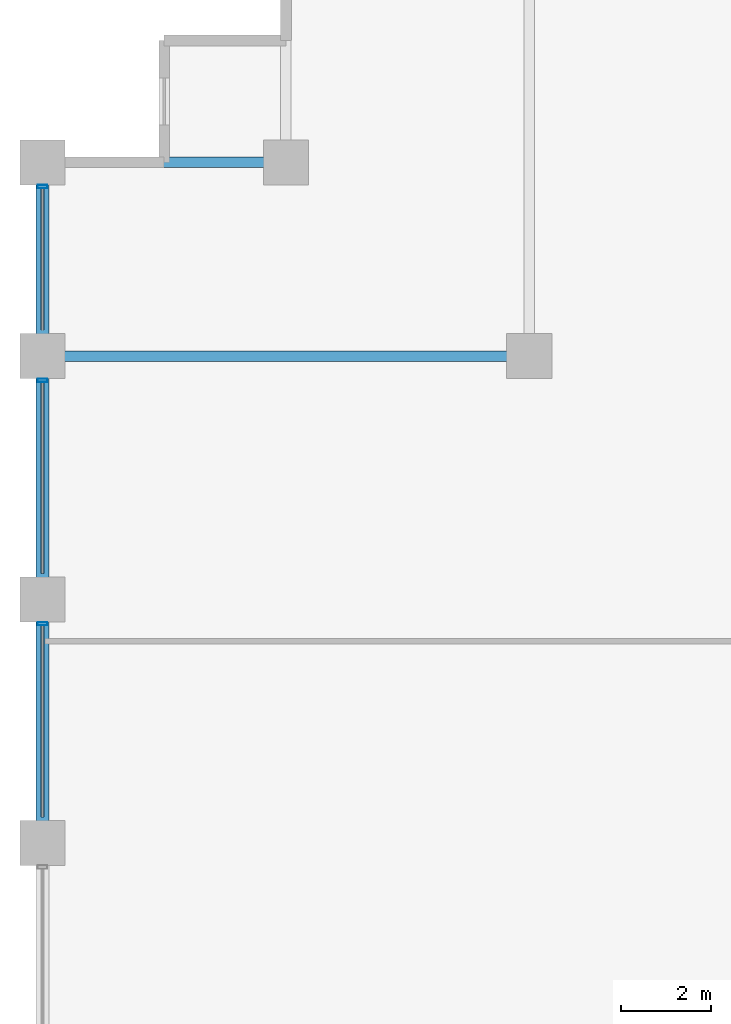
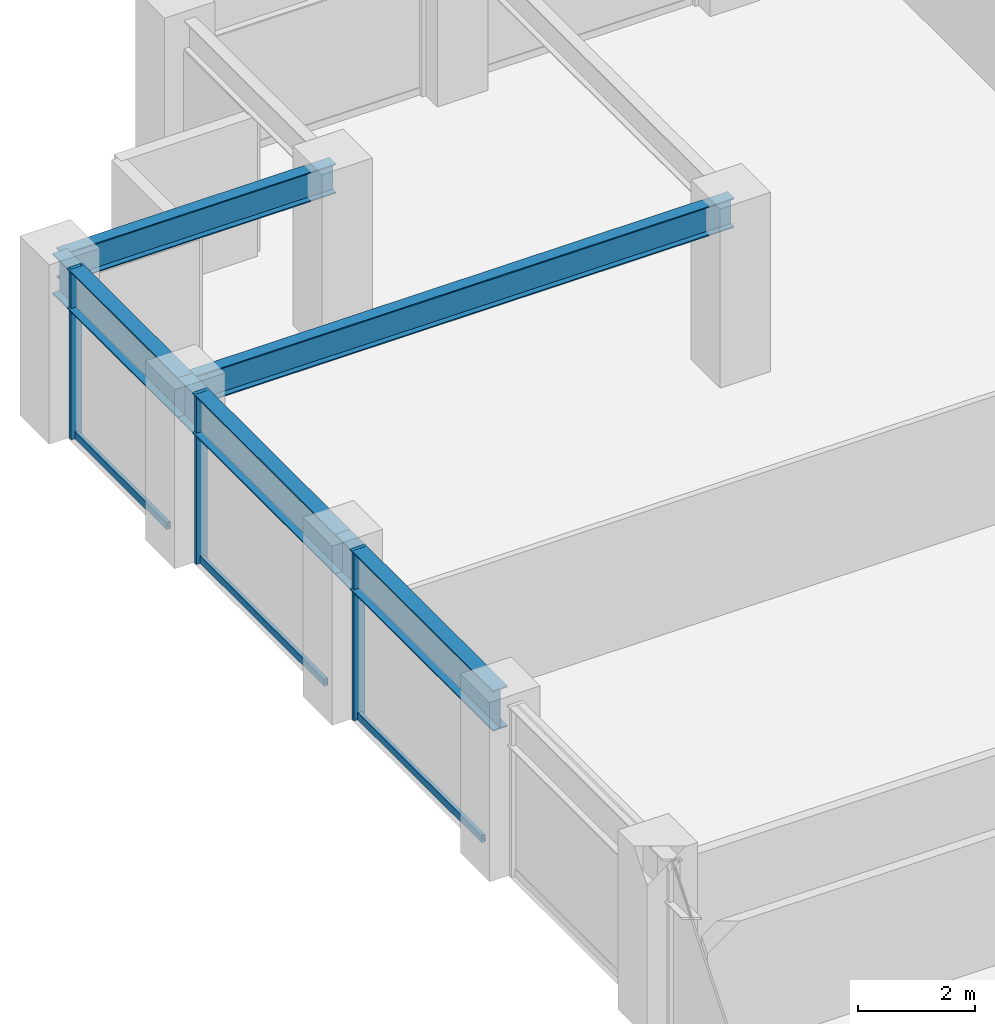
# One storey, part 10 of 23: 6 members, 5 beams, 1 element without a shape of its own.
"""IFC4 building model written with IfcOpenShell, lengths in metres."""

from ifc_helpers import new_model, si_unit, direction, frame, origin, origin_2d, place, context, subcontext, project, spatial, hollow_rectangle, i_section, extrude, material, layer, layer_set, material_profile, profile_set, type_object, element, aggregate, save


model = new_model("IFC4")

# Units and contexts
model_context = context("Model", 3, precision=1e-05, world=origin(), true_north=direction((0.0, 1.0)))
body_context = subcontext(model_context, "Body", "Model", "MODEL_VIEW")
ifc_project = project(units=[si_unit("LENGTHUNIT", "METRE"), si_unit("AREAUNIT", "SQUARE_METRE"), si_unit("VOLUMEUNIT", "CUBIC_METRE"), si_unit("PLANEANGLEUNIT", "RADIAN"), si_unit("MASSUNIT", "GRAM", prefix="KILO")], contexts=[model_context])

# Site, building, storey
site_placement = place(None, origin())
site = spatial("IfcSite", under=ifc_project, at=site_placement, CompositionType="ELEMENT")
building_placement = place(site_placement, origin())
building = spatial("IfcBuilding", under=site, at=building_placement, Name="Surkhivell Harbour Commons", CompositionType="ELEMENT")
storey_placement = place(building_placement, frame((0.0, 0.0, 135.75)))
storey = spatial("IfcBuildingStorey", under=building, at=storey_placement, Name="L35", CompositionType="ELEMENT", Elevation=135.75)

# Beams
ifc_material_1 = material(Name="Steel S355", Category="steel")
ifc_material_profile_1 = material_profile(ifc_material_1, i_section(OverallWidth=0.22998046875, OverallDepth=0.616943359375, WebThickness=0.01318359375, FlangeThickness=0.022216796875, at=origin_2d()), Name="UB610x229x140")
ifc_profile_set_1 = profile_set([ifc_material_profile_1], Name="Steel S355")
beam_type_1 = type_object("IfcBeamType", Name="BM-GRD-610B", PredefinedType="BEAM", material=ifc_profile_set_1)
beam_1_placement = place(storey_placement, frame((-32.39990234375, 16.199951171875, 3.261474609375), z_axis=(1.0, 0.0, 0.0), x_axis=(0.0, 1.0, 0.0)))
element("IfcBeam", 1, at=beam_1_placement, inside=storey, type_object=beam_type_1, Name="L35 Floor Girder (-32.4,16.2)", PredefinedType="BEAM", context=body_context, shape_type="SweptSolid", body=[
    extrude(i_section(OverallWidth=0.22998046875, OverallDepth=0.616943359375, WebThickness=0.01318359375, FlangeThickness=0.022216796875, at=origin_2d()), origin(), (0.0, 0.0, 1.0), 10.7998046875),
])
beam_2_placement = place(storey_placement, frame((-32.39990234375, 20.5, 3.261474609375), z_axis=(1.0, 0.0, 0.0), x_axis=(0.0, 1.0, 0.0)))
element("IfcBeam", 2, at=beam_2_placement, inside=storey, type_object=beam_type_1, Name="L35 Floor Girder (-32.4,20.5)", PredefinedType="BEAM", context=body_context, shape_type="SweptSolid", body=[
    extrude(i_section(OverallWidth=0.22998046875, OverallDepth=0.616943359375, WebThickness=0.01318359375, FlangeThickness=0.022216796875, at=origin_2d()), origin(), (0.0, 0.0, 1.0), 5.39990234375),
])
ifc_material_2 = material(Name="Steel S460", Category="steel")
ifc_material_profile_2 = material_profile(ifc_material_2, i_section(OverallWidth=0.2939453125, OverallDepth=0.85107421875, WebThickness=0.01611328125, FlangeThickness=0.02685546875, at=origin_2d()), Name="UB838x292x226")
ifc_profile_set_2 = profile_set([ifc_material_profile_2], Name="Steel S460")
beam_type_2 = type_object("IfcBeamType", Name="BM-SPN-838", PredefinedType="SPANDREL", material=ifc_profile_set_2)
beam_3_placement = place(storey_placement, frame((-32.39990234375, 5.39990234375, 3.14453125), z_axis=(0.0, 1.0, 0.0), x_axis=(-1.0, 0.0, 0.0)))
element("IfcBeam", 3, at=beam_3_placement, inside=storey, type_object=beam_type_2, Name="L35 Tube Spandrel (-32.4,5.4)", PredefinedType="SPANDREL", context=body_context, shape_type="SweptSolid", body=[
    extrude(i_section(OverallWidth=0.2939453125, OverallDepth=0.85107421875, WebThickness=0.01611328125, FlangeThickness=0.02685546875, at=origin_2d()), origin(), (0.0, 0.0, 1.0), 5.400146484375),
])
beam_4_placement = place(storey_placement, frame((-32.39990234375, 10.800048828125, 3.14453125), z_axis=(0.0, 1.0, 0.0), x_axis=(-1.0, 0.0, 0.0)))
element("IfcBeam", 4, at=beam_4_placement, inside=storey, type_object=beam_type_2, Name="L35 Tube Spandrel (-32.4,10.8)", PredefinedType="SPANDREL", context=body_context, shape_type="SweptSolid", body=[
    extrude(i_section(OverallWidth=0.2939453125, OverallDepth=0.85107421875, WebThickness=0.01611328125, FlangeThickness=0.02685546875, at=origin_2d()), origin(), (0.0, 0.0, 1.0), 5.39990234375),
])
beam_5_placement = place(storey_placement, frame((-32.39990234375, 16.199951171875, 3.14453125), z_axis=(0.0, 1.0, 0.0), x_axis=(-1.0, 0.0, 0.0)))
element("IfcBeam", 5, at=beam_5_placement, inside=storey, type_object=beam_type_2, Name="L35 Tube Spandrel (-32.4,16.2)", PredefinedType="SPANDREL", context=body_context, shape_type="SweptSolid", body=[
    extrude(i_section(OverallWidth=0.2939453125, OverallDepth=0.85107421875, WebThickness=0.01611328125, FlangeThickness=0.02685546875, at=origin_2d()), origin(), (0.0, 0.0, 1.0), 4.300048828125),
])

# Curtain wall, members
ifc_material_3 = material(Name="Anodised pale-metal aluminium and insulated glazing", Category="aluminium")
ifc_layer = layer(ifc_material_3, 0.205078125)
ifc_layer_set = layer_set([ifc_layer], Name="Anodised pale-metal aluminium and insulated glazing")
curtain_wall_type = type_object("IfcCurtainWallType", Name="CW-SYS-Z2", PredefinedType="NOTDEFINED", material=ifc_layer_set)
curtain_wall_placement = place(storey_placement, origin())
curtain_wall = element("IfcCurtainWall", 6, at=curtain_wall_placement, inside=storey, type_object=curtain_wall_type, Name="L35 Curtain Wall CW-L35-E12S1", PredefinedType="NOTDEFINED")
ifc_material_4 = material(Name="Anodised pale-metal aluminium alloy 6063-T6", Category="aluminium")
ifc_material_profile_3 = material_profile(ifc_material_4, hollow_rectangle(XDim=0.074951171875, YDim=0.219970703125, WallThickness=0.00390625, at=origin_2d()), Name="ALU-MULL-75x220")
ifc_profile_set_3 = profile_set([ifc_material_profile_3], Name="Anodised pale-metal aluminium alloy 6063-T6")
member_type_1 = type_object("IfcMemberType", Name="CWM-220", PredefinedType="MULLION", material=ifc_profile_set_3)
member_1_placement = place(storey_placement, frame((-32.39990234375, 19.96044921875, 0.0), z_axis=(0.0, 0.0, 1.0), x_axis=(0.0, -1.0, 0.0)))
member_1 = element("IfcMember", 7, at=member_1_placement, type_object=member_type_1, Name="CW-Z2 mullion 1", PredefinedType="MULLION", context=body_context, shape_type="SweptSolid", body=[
    extrude(hollow_rectangle(XDim=0.074951171875, YDim=0.219970703125, WallThickness=0.00390625, at=origin_2d()), origin(), (0.0, 0.0, 1.0), 3.570068359375),
])
member_2_placement = place(storey_placement, frame((-32.39990234375, 15.660400390625, 0.0), z_axis=(0.0, 0.0, 1.0), x_axis=(0.0, -1.0, 0.0)))
member_2 = element("IfcMember", 8, at=member_2_placement, type_object=member_type_1, Name="CW-Z2 mullion 2", PredefinedType="MULLION", context=body_context, shape_type="SweptSolid", body=[
    extrude(hollow_rectangle(XDim=0.074951171875, YDim=0.219970703125, WallThickness=0.00390625, at=origin_2d()), origin(), (0.0, 0.0, 1.0), 3.570068359375),
])
member_3_placement = place(storey_placement, frame((-32.39990234375, 10.260498046875, 0.0), z_axis=(0.0, 0.0, 1.0), x_axis=(0.0, -1.0, 0.0)))
member_3 = element("IfcMember", 9, at=member_3_placement, type_object=member_type_1, Name="CW-Z2 mullion 3", PredefinedType="MULLION", context=body_context, shape_type="SweptSolid", body=[
    extrude(hollow_rectangle(XDim=0.074951171875, YDim=0.219970703125, WallThickness=0.00390625, at=origin_2d()), origin(), (0.0, 0.0, 1.0), 3.570068359375),
])
ifc_material_profile_4 = material_profile(ifc_material_4, hollow_rectangle(XDim=0.074951171875, YDim=0.14990234375, WallThickness=0.00341796875, at=origin_2d()), Name="ALU-TRAN-75x150")
ifc_profile_set_4 = profile_set([ifc_material_profile_4], Name="Anodised pale-metal aluminium alloy 6063-T6")
member_type_2 = type_object("IfcMemberType", Name="CWT-150", PredefinedType="USERDEFINED", material=ifc_profile_set_4)
member_4_placement = place(storey_placement, frame((-32.39990234375, 19.923095703125, 0.074951171875), z_axis=(0.0, -1.0, 0.0), x_axis=(1.0, 0.0, 0.0)))
member_4 = element("IfcMember", 10, at=member_4_placement, type_object=member_type_2, Name="CW-Z2 transom 1.1", ObjectType="TRANSOM", PredefinedType="USERDEFINED", context=body_context, shape_type="SweptSolid", body=[
    extrude(hollow_rectangle(XDim=0.074951171875, YDim=0.14990234375, WallThickness=0.00341796875, at=origin_2d()), origin(), (0.0, 0.0, 1.0), 3.14599609375),
])
member_5_placement = place(storey_placement, frame((-32.39990234375, 15.623046875, 0.074951171875), z_axis=(0.0, -1.0, 0.0), x_axis=(1.0, 0.0, 0.0)))
member_5 = element("IfcMember", 11, at=member_5_placement, type_object=member_type_2, Name="CW-Z2 transom 2.1", ObjectType="TRANSOM", PredefinedType="USERDEFINED", context=body_context, shape_type="SweptSolid", body=[
    extrude(hollow_rectangle(XDim=0.074951171875, YDim=0.14990234375, WallThickness=0.00341796875, at=origin_2d()), origin(), (0.0, 0.0, 1.0), 4.24609375),
])
member_6_placement = place(storey_placement, frame((-32.39990234375, 10.222900390625, 0.074951171875), z_axis=(0.0, -1.0, 0.0), x_axis=(1.0, 0.0, 0.0)))
member_6 = element("IfcMember", 12, at=member_6_placement, type_object=member_type_2, Name="CW-Z2 transom 3.1", ObjectType="TRANSOM", PredefinedType="USERDEFINED", context=body_context, shape_type="SweptSolid", body=[
    extrude(hollow_rectangle(XDim=0.074951171875, YDim=0.14990234375, WallThickness=0.00341796875, at=origin_2d()), origin(), (0.0, 0.0, 1.0), 4.245849609375),
])
aggregate(curtain_wall, [member_1, member_4, member_2, member_5, member_3, member_6])

save(model, "model.ifc")
